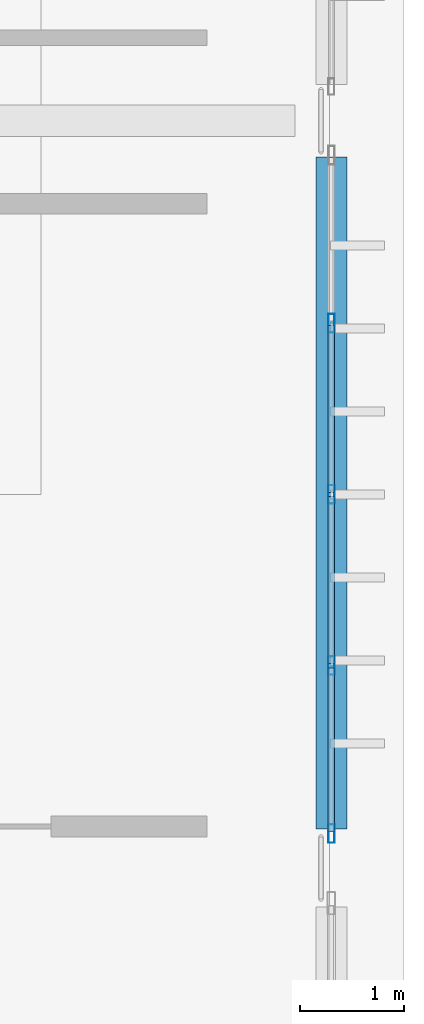
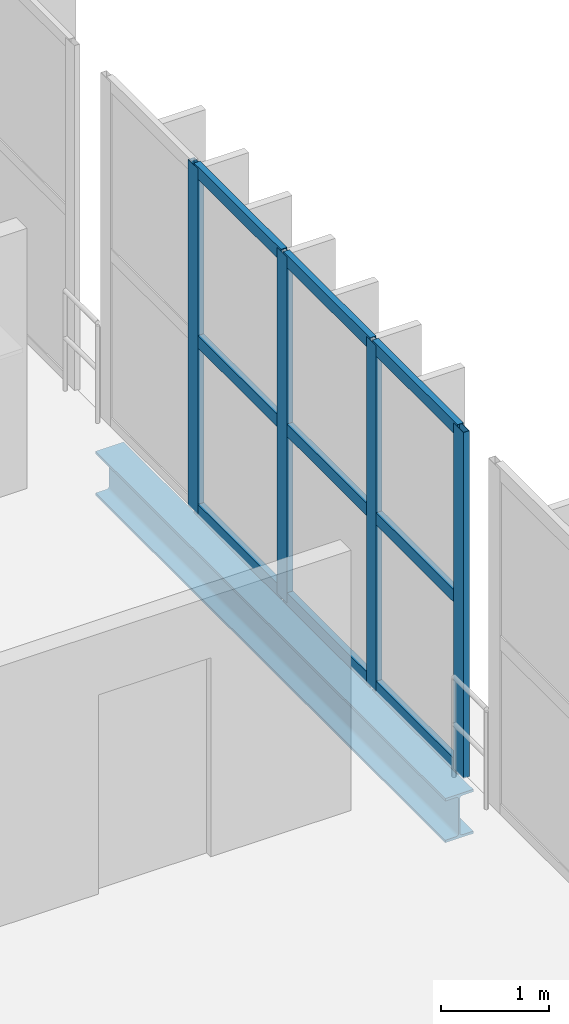
# One storey, part 72 of 130: 13 members, 1 beam, 1 element without a shape of its own.
"""IFC4 building model written with IfcOpenShell, lengths in metres."""

from ifc_helpers import new_model, si_unit, direction, frame, origin, origin_2d, place, context, subcontext, project, spatial, hollow_rectangle, i_section, extrude, material, material_profile, profile_set, type_object, element, aggregate, save


model = new_model("IFC4")

# Units and contexts
model_context = context("Model", 3, precision=1e-05, world=origin(), true_north=direction((0.0, 1.0)))
body_context = subcontext(model_context, "Body", "Model", "MODEL_VIEW")
ifc_project = project(units=[si_unit("LENGTHUNIT", "METRE"), si_unit("AREAUNIT", "SQUARE_METRE"), si_unit("VOLUMEUNIT", "CUBIC_METRE"), si_unit("PLANEANGLEUNIT", "RADIAN"), si_unit("MASSUNIT", "GRAM", prefix="KILO")], contexts=[model_context])

# Site, building, storey
site_placement = place(None, origin())
site = spatial("IfcSite", under=ifc_project, at=site_placement, CompositionType="ELEMENT")
building_placement = place(site_placement, origin())
building = spatial("IfcBuilding", under=site, at=building_placement, Name="Qandorah Velis Arena", CompositionType="ELEMENT")
storey_placement = place(building_placement, frame((0.0, 0.0, 9.60009765625)))
storey = spatial("IfcBuildingStorey", under=building, at=storey_placement, Name="L02", CompositionType="ELEMENT", Elevation=9.60009765625)

# Curtain wall, members
ifc_material_1 = material(Name="Solar-control low-E double glazing", Category="glass")
curtain_wall_type = type_object("IfcCurtainWallType", Name="ARC-CW-SYS02", PredefinedType="USERDEFINED", material=ifc_material_1)
curtain_wall_placement = place(storey_placement, origin())
curtain_wall = element("IfcCurtainWall", 1, at=curtain_wall_placement, inside=storey, type_object=curtain_wall_type, Name="Unitised curtain wall L02-146", ObjectType="UNITISED CURTAIN WALL", PredefinedType="USERDEFINED")
ifc_material_2 = material(Name="Champagne-bronze anodized aluminium 6063-T6", Category="aluminium")
ifc_material_profile_1 = material_profile(ifc_material_2, hollow_rectangle(XDim=0.06494140625, YDim=0.179931640625, WallThickness=0.00341796875, at=origin_2d()), Name="ALU MULLION 65x180")
ifc_profile_set_1 = profile_set([ifc_material_profile_1], Name="Champagne-bronze anodized aluminium 6063-T6")
member_type_1 = type_object("IfcMemberType", Name="ARC-CWM-180", PredefinedType="MULLION", material=ifc_profile_set_1)
member_1_placement = place(storey_placement, frame((172.800048828125, 50.732421875, -0.01513671875), z_axis=(0.0, 0.0, 1.0), x_axis=(-1.0, 0.0, 0.0)))
member_1 = element("IfcMember", 2, at=member_1_placement, type_object=member_type_1, Name="CW02 mullion 1", PredefinedType="MULLION", context=body_context, shape_type="SweptSolid", body=[
    extrude(hollow_rectangle(XDim=0.06494140625, YDim=0.179931640625, WallThickness=0.00341796875, at=origin_2d()), origin(), (0.0, 0.0, 1.0), 3.91015625),
])
member_2_placement = place(storey_placement, frame((172.800048828125, 52.35009765625, -0.01513671875), z_axis=(0.0, 0.0, 1.0), x_axis=(-1.0, 0.0, 0.0)))
member_2 = element("IfcMember", 3, at=member_2_placement, type_object=member_type_1, Name="CW02 mullion 2", PredefinedType="MULLION", context=body_context, shape_type="SweptSolid", body=[
    extrude(hollow_rectangle(XDim=0.06494140625, YDim=0.179931640625, WallThickness=0.00341796875, at=origin_2d()), origin(), (0.0, 0.0, 1.0), 3.91015625),
])
member_3_placement = place(storey_placement, frame((172.800048828125, 54.0, -0.01513671875), z_axis=(0.0, 0.0, 1.0), x_axis=(-1.0, 0.0, 0.0)))
member_3 = element("IfcMember", 4, at=member_3_placement, type_object=member_type_1, Name="CW02 mullion 3", PredefinedType="MULLION", context=body_context, shape_type="SweptSolid", body=[
    extrude(hollow_rectangle(XDim=0.06494140625, YDim=0.179931640625, WallThickness=0.00341796875, at=origin_2d()), origin(), (0.0, 0.0, 1.0), 3.91015625),
])
member_4_placement = place(storey_placement, frame((172.800048828125, 55.64990234375, -0.01513671875), z_axis=(0.0, 0.0, 1.0), x_axis=(-1.0, 0.0, 0.0)))
member_4 = element("IfcMember", 5, at=member_4_placement, type_object=member_type_1, Name="CW02 mullion 4", PredefinedType="MULLION", context=body_context, shape_type="SweptSolid", body=[
    extrude(hollow_rectangle(XDim=0.06494140625, YDim=0.179931640625, WallThickness=0.00341796875, at=origin_2d()), origin(), (0.0, 0.0, 1.0), 3.91015625),
])
ifc_material_profile_2 = material_profile(ifc_material_2, hollow_rectangle(XDim=0.06494140625, YDim=0.139892578125, WallThickness=0.0029296875, at=origin_2d()), Name="ALU TRANSOM 65x140")
ifc_profile_set_2 = profile_set([ifc_material_profile_2], Name="Champagne-bronze anodized aluminium 6063-T6")
member_type_2 = type_object("IfcMemberType", Name="ARC-CWT-140", PredefinedType="USERDEFINED", material=ifc_profile_set_2)
member_5_placement = place(storey_placement, frame((172.800048828125, 50.7529296875, 0.032470703125), z_axis=(0.0, 1.0, 0.0), x_axis=(-1.0, 0.0, 0.0)))
member_5 = element("IfcMember", 6, at=member_5_placement, type_object=member_type_2, Name="CW02 transom 1.1", ObjectType="TRANSOM", PredefinedType="USERDEFINED", context=body_context, shape_type="SweptSolid", body=[
    extrude(hollow_rectangle(XDim=0.06494140625, YDim=0.139892578125, WallThickness=0.0029296875, at=origin_2d()), origin(), (0.0, 0.0, 1.0), 1.57666015625),
])
member_6_placement = place(storey_placement, frame((172.800048828125, 50.7529296875, 1.93994140625), z_axis=(0.0, 1.0, 0.0), x_axis=(-1.0, 0.0, 0.0)))
member_6 = element("IfcMember", 7, at=member_6_placement, type_object=member_type_2, Name="CW02 transom 1.2", ObjectType="TRANSOM", PredefinedType="USERDEFINED", context=body_context, shape_type="SweptSolid", body=[
    extrude(hollow_rectangle(XDim=0.06494140625, YDim=0.139892578125, WallThickness=0.0029296875, at=origin_2d()), origin(), (0.0, 0.0, 1.0), 1.57666015625),
])
member_7_placement = place(storey_placement, frame((172.800048828125, 50.7529296875, 3.847412109375), z_axis=(0.0, 1.0, 0.0), x_axis=(-1.0, 0.0, 0.0)))
member_7 = element("IfcMember", 8, at=member_7_placement, type_object=member_type_2, Name="CW02 transom 1.3", ObjectType="TRANSOM", PredefinedType="USERDEFINED", context=body_context, shape_type="SweptSolid", body=[
    extrude(hollow_rectangle(XDim=0.06494140625, YDim=0.139892578125, WallThickness=0.0029296875, at=origin_2d()), origin(), (0.0, 0.0, 1.0), 1.57666015625),
])
member_8_placement = place(storey_placement, frame((172.800048828125, 52.37060546875, 0.032470703125), z_axis=(0.0, 1.0, 0.0), x_axis=(-1.0, 0.0, 0.0)))
member_8 = element("IfcMember", 9, at=member_8_placement, type_object=member_type_2, Name="CW02 transom 2.1", ObjectType="TRANSOM", PredefinedType="USERDEFINED", context=body_context, shape_type="SweptSolid", body=[
    extrude(hollow_rectangle(XDim=0.06494140625, YDim=0.139892578125, WallThickness=0.0029296875, at=origin_2d()), origin(), (0.0, 0.0, 1.0), 1.60888671875),
])
member_9_placement = place(storey_placement, frame((172.800048828125, 52.37060546875, 1.93994140625), z_axis=(0.0, 1.0, 0.0), x_axis=(-1.0, 0.0, 0.0)))
member_9 = element("IfcMember", 10, at=member_9_placement, type_object=member_type_2, Name="CW02 transom 2.2", ObjectType="TRANSOM", PredefinedType="USERDEFINED", context=body_context, shape_type="SweptSolid", body=[
    extrude(hollow_rectangle(XDim=0.06494140625, YDim=0.139892578125, WallThickness=0.0029296875, at=origin_2d()), origin(), (0.0, 0.0, 1.0), 1.60888671875),
])
member_10_placement = place(storey_placement, frame((172.800048828125, 52.37060546875, 3.847412109375), z_axis=(0.0, 1.0, 0.0), x_axis=(-1.0, 0.0, 0.0)))
member_10 = element("IfcMember", 11, at=member_10_placement, type_object=member_type_2, Name="CW02 transom 2.3", ObjectType="TRANSOM", PredefinedType="USERDEFINED", context=body_context, shape_type="SweptSolid", body=[
    extrude(hollow_rectangle(XDim=0.06494140625, YDim=0.139892578125, WallThickness=0.0029296875, at=origin_2d()), origin(), (0.0, 0.0, 1.0), 1.60888671875),
])
member_11_placement = place(storey_placement, frame((172.800048828125, 54.0205078125, 0.032470703125), z_axis=(0.0, 1.0, 0.0), x_axis=(-1.0, 0.0, 0.0)))
member_11 = element("IfcMember", 12, at=member_11_placement, type_object=member_type_2, Name="CW02 transom 3.1", ObjectType="TRANSOM", PredefinedType="USERDEFINED", context=body_context, shape_type="SweptSolid", body=[
    extrude(hollow_rectangle(XDim=0.06494140625, YDim=0.139892578125, WallThickness=0.0029296875, at=origin_2d()), origin(), (0.0, 0.0, 1.0), 1.60888671875),
])
member_12_placement = place(storey_placement, frame((172.800048828125, 54.0205078125, 1.93994140625), z_axis=(0.0, 1.0, 0.0), x_axis=(-1.0, 0.0, 0.0)))
member_12 = element("IfcMember", 13, at=member_12_placement, type_object=member_type_2, Name="CW02 transom 3.2", ObjectType="TRANSOM", PredefinedType="USERDEFINED", context=body_context, shape_type="SweptSolid", body=[
    extrude(hollow_rectangle(XDim=0.06494140625, YDim=0.139892578125, WallThickness=0.0029296875, at=origin_2d()), origin(), (0.0, 0.0, 1.0), 1.60888671875),
])
member_13_placement = place(storey_placement, frame((172.800048828125, 54.0205078125, 3.847412109375), z_axis=(0.0, 1.0, 0.0), x_axis=(-1.0, 0.0, 0.0)))
member_13 = element("IfcMember", 14, at=member_13_placement, type_object=member_type_2, Name="CW02 transom 3.3", ObjectType="TRANSOM", PredefinedType="USERDEFINED", context=body_context, shape_type="SweptSolid", body=[
    extrude(hollow_rectangle(XDim=0.06494140625, YDim=0.139892578125, WallThickness=0.0029296875, at=origin_2d()), origin(), (0.0, 0.0, 1.0), 1.60888671875),
])
aggregate(curtain_wall, [member_1, member_2, member_3, member_4, member_5, member_6, member_7, member_8, member_9, member_10, member_11, member_12, member_13])

# Beam
ifc_material_3 = material(Name="Steel S355", Category="steel")
ifc_material_profile_3 = material_profile(ifc_material_3, i_section(OverallWidth=0.300048828125, OverallDepth=0.5, WebThickness=0.014404296875, FlangeThickness=0.028076171875, FilletRadius=0.027099609375, at=origin_2d()), Name="HEB 500")
ifc_profile_set_3 = profile_set([ifc_material_profile_3], Name="Steel S355")
beam_type = type_object("IfcBeamType", Name="STR-BM-HEB500", PredefinedType="BEAM", material=ifc_profile_set_3)
beam_placement = place(storey_placement, frame((172.800048828125, 50.77490234375, -0.530029296875), z_axis=(0.0, 1.0, 0.0), x_axis=(-1.0, 0.0, 0.0)))
element("IfcBeam", 15, at=beam_placement, inside=storey, type_object=beam_type, Name="Primary floor girder L02 Y-346", PredefinedType="BEAM", context=body_context, shape_type="SweptSolid", body=[
    extrude(i_section(OverallWidth=0.300048828125, OverallDepth=0.5, WebThickness=0.014404296875, FlangeThickness=0.028076171875, FilletRadius=0.027099609375, at=origin_2d()), origin(), (0.0, 0.0, 1.0), 6.47509765625),
])

save(model, "model.ifc")
